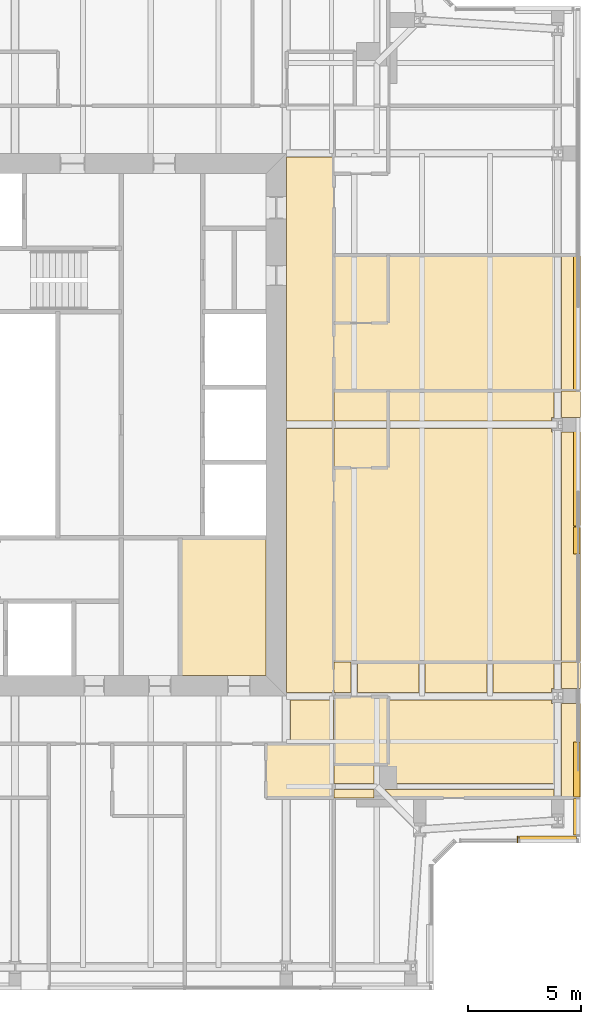
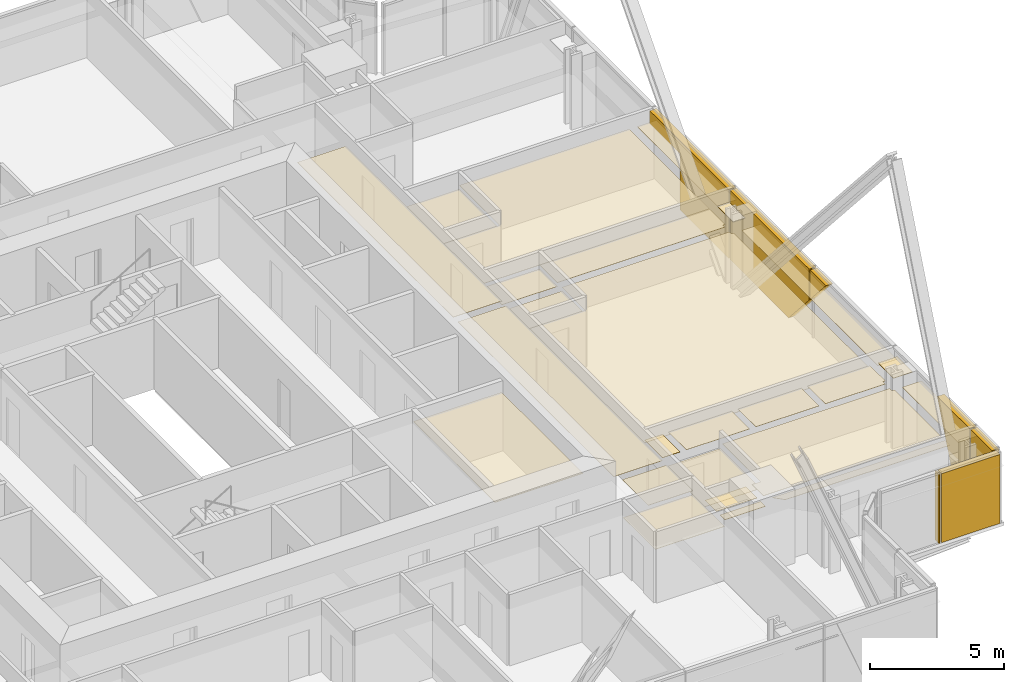
# One storey, part 18 of 20: 32 coverings.
"""IFC4 building model written with IfcOpenShell, lengths in metres."""

from ifc_helpers import new_model, si_unit, direction, frame, origin, place, context, subcontext, project, spatial, polyline, outline, extrude, material, layer, layer_set, type_object, element, save


model = new_model("IFC4")

# Units and contexts
model_context = context("Model", 3, precision=1e-05, world=origin(), true_north=direction((0.0, 1.0)))
body_context = subcontext(model_context, "Body", "Model", "MODEL_VIEW")
ifc_project = project(units=[si_unit("LENGTHUNIT", "METRE"), si_unit("AREAUNIT", "SQUARE_METRE"), si_unit("VOLUMEUNIT", "CUBIC_METRE"), si_unit("PLANEANGLEUNIT", "RADIAN"), si_unit("MASSUNIT", "GRAM", prefix="KILO")], contexts=[model_context])

# Site, building, storey
site_placement = place(None, origin())
site = spatial("IfcSite", under=ifc_project, at=site_placement, CompositionType="ELEMENT")
building_placement = place(site_placement, origin())
building = spatial("IfcBuilding", under=site, at=building_placement, Name="Fenwick Lantern Interchange", CompositionType="ELEMENT")
storey_placement = place(building_placement, frame((0.0, 0.0, 256.0)))
storey = spatial("IfcBuildingStorey", under=building, at=storey_placement, Name="L60", CompositionType="ELEMENT", Elevation=256.0)

# Coverings
ifc_material_1 = material(Name="Granite cladding, warm grey flamed finish, on aluminium carrier frame", Category="masonry")
ifc_layer_1 = layer(ifc_material_1, 0.300048828125)
ifc_layer_set_1 = layer_set([ifc_layer_1], Name="BRACE CASING PANEL 300")
covering_type_1 = type_object("IfcCoveringType", Name="BRACE CASING PANEL 300", PredefinedType="CLADDING", material=ifc_layer_set_1)
covering_1_placement = place(storey_placement, frame((44.45849609375, 6.60009765625, 0.0), z_axis=(0.0, 0.0, 1.0), x_axis=(1.0, 0.0, 0.0)))
element("IfcCovering", 1, at=covering_1_placement, inside=storey, type_object=covering_type_1, Name="Brace casing 04 bay 00a", PredefinedType="CLADDING", context=body_context, shape_type="SweptSolid", body=[
    extrude(outline(polyline([(2.741455078125, 0.0), (2.790771484375, 0.0), (2.790771484375, 3.14990234375), (2.741455078125, 3.14990234375), (2.741455078125, 0.0)])), frame((0.0, 0.2099609375, 0.0), z_axis=(0.0, -1.0, 0.0), x_axis=(1.0, 0.0, 0.0)), (0.0, 0.0, 1.0), 0.300048828125),
])
covering_2_placement = place(storey_placement, frame((44.45849609375, 6.60009765625, 0.0), z_axis=(0.0, 0.0, 1.0), x_axis=(1.0, 0.0, 0.0)))
element("IfcCovering", 2, at=covering_2_placement, inside=storey, type_object=covering_type_1, Name="Brace casing 04 bay 01a", PredefinedType="CLADDING", context=body_context, shape_type="SweptSolid", body=[
    extrude(outline(polyline([(2.850830078125, 0.0), (5.38134765625, 0.0), (5.38134765625, 3.14990234375), (2.850830078125, 3.14990234375), (2.850830078125, 0.0)])), frame((0.0, 0.2099609375, 0.0), z_axis=(0.0, -1.0, 0.0), x_axis=(1.0, 0.0, 0.0)), (0.0, 0.0, 1.0), 0.300048828125),
])
covering_3_placement = place(storey_placement, frame((49.89990234375, 6.60009765625, 0.0), z_axis=(0.0, 0.0, 1.0), x_axis=(0.0, 1.0, 0.0)))
element("IfcCovering", 3, at=covering_3_placement, inside=storey, type_object=covering_type_1, Name="Brace casing 05 bay 00a", PredefinedType="CLADDING", context=body_context, shape_type="SweptSolid", body=[
    extrude(outline(polyline([(0.260009765625, 0.0), (1.8701171875, 0.0), (1.8701171875, 3.14990234375), (0.260009765625, 3.14990234375), (0.260009765625, 0.0)])), frame((0.0, 0.2099609375, 0.0), z_axis=(0.0, -1.0, 0.0), x_axis=(1.0, 0.0, 0.0)), (0.0, 0.0, 1.0), 0.300048828125),
])
covering_4_placement = place(storey_placement, frame((49.89990234375, 6.60009765625, 0.0), z_axis=(0.0, 0.0, 1.0), x_axis=(0.0, 1.0, 0.0)))
element("IfcCovering", 4, at=covering_4_placement, inside=storey, type_object=covering_type_1, Name="Brace casing 05 bay 01a", PredefinedType="CLADDING", context=body_context, shape_type="SweptSolid", body=[
    extrude(outline(polyline([(1.929931640625, 0.0), (3.086669921875, 0.0), (4.360595703125, 3.14990234375), (1.929931640625, 3.14990234375), (1.929931640625, 0.0)])), frame((0.0, 0.2099609375, 0.0), z_axis=(0.0, -1.0, 0.0), x_axis=(1.0, 0.0, 0.0)), (0.0, 0.0, 1.0), 0.300048828125),
])
covering_5_placement = place(storey_placement, frame((49.89990234375, 6.60009765625, 1.807373046875), z_axis=(0.0, 0.0, 1.0), x_axis=(0.0, 1.0, 0.0)))
element("IfcCovering", 5, at=covering_5_placement, inside=storey, type_object=covering_type_1, Name="Brace casing 05 bay 02a", PredefinedType="CLADDING", context=body_context, shape_type="SweptSolid", body=[
    extrude(outline(polyline([(13.8701171875, 0.0), (13.8701171875, 1.342529296875), (12.685302734375, 1.342529296875), (13.8701171875, 0.0)])), frame((0.0, 0.2099609375, 0.0), z_axis=(0.0, -1.0, 0.0), x_axis=(1.0, 0.0, 0.0)), (0.0, 0.0, 1.0), 0.300048828125),
])
covering_6_placement = place(storey_placement, frame((49.89990234375, 6.60009765625, 0.0), z_axis=(0.0, 0.0, 1.0), x_axis=(0.0, 1.0, 0.0)))
element("IfcCovering", 6, at=covering_6_placement, inside=storey, type_object=covering_type_1, Name="Brace casing 05 bay 03a", PredefinedType="CLADDING", context=body_context, shape_type="SweptSolid", body=[
    extrude(outline(polyline([(15.46484375, 0.0), (19.8701171875, 0.0), (19.8701171875, 3.14990234375), (13.929931640625, 3.14990234375), (13.929931640625, 1.739501953125), (15.46484375, 0.0)])), frame((0.0, 0.2099609375, 0.0), z_axis=(0.0, -1.0, 0.0), x_axis=(1.0, 0.0, 0.0)), (0.0, 0.0, 1.0), 0.300048828125),
])
covering_7_placement = place(storey_placement, frame((49.89990234375, 6.60009765625, 0.0), z_axis=(0.0, 0.0, 1.0), x_axis=(0.0, 1.0, 0.0)))
element("IfcCovering", 7, at=covering_7_placement, inside=storey, type_object=covering_type_1, Name="Brace casing 05 bay 04a", PredefinedType="CLADDING", context=body_context, shape_type="SweptSolid", body=[
    extrude(outline(polyline([(19.929931640625, 0.0), (23.60009765625, 0.0), (23.60009765625, 2.56689453125), (25.8701171875, 2.56689453125), (25.8701171875, 3.14990234375), (19.929931640625, 3.14990234375), (19.929931640625, 0.0)])), frame((0.0, 0.2099609375, 0.0), z_axis=(0.0, -1.0, 0.0), x_axis=(1.0, 0.0, 0.0)), (0.0, 0.0, 1.0), 0.300048828125),
])
ifc_material_2 = material(Name="Moisture resistant gypsum board on suspended frame, painted")
ifc_layer_2 = layer(ifc_material_2, 0.014892578125)
ifc_layer_set_2 = layer_set([ifc_layer_2], Name="MOISTURE RESISTANT CEILING 15")
covering_type_2 = type_object("IfcCoveringType", Name="MOISTURE RESISTANT CEILING 15", PredefinedType="CEILING", material=ifc_layer_set_2)
covering_8_placement = place(storey_placement, frame((0.0, 0.0, 2.60009765625)))
element("IfcCovering", 8, at=covering_8_placement, inside=storey, type_object=covering_type_2, Name="Women's WC ceiling", PredefinedType="CEILING", context=body_context, shape_type="SweptSolid", body=[
    extrude(outline(polyline([(32.300048828125, 13.89990234375), (36.10009765625, 13.89990234375), (36.10009765625, 20.0), (32.300048828125, 20.0), (32.300048828125, 13.89990234375)])), origin(), (0.0, 0.0, 1.0), 0.014892578125),
])
covering_9_placement = place(storey_placement, frame((0.0, 0.0, 2.39990234375)))
element("IfcCovering", 9, at=covering_9_placement, inside=storey, type_object=covering_type_2, Name="En-suite 6004 ceiling", PredefinedType="CEILING", context=body_context, shape_type="SweptSolid", body=[
    extrude(outline(polyline([(36.10009765625, 8.5), (39.10009765625, 8.5), (39.10009765625, 10.89990234375), (36.10009765625, 10.89990234375), (36.10009765625, 8.5)])), origin(), (0.0, 0.0, 1.0), 0.01513671875),
])
covering_10_placement = place(storey_placement, frame((0.0, 0.0, 2.39990234375)))
element("IfcCovering", 10, at=covering_10_placement, inside=storey, type_object=covering_type_2, Name="En-suite 6005 ceiling", PredefinedType="CEILING", context=body_context, shape_type="SweptSolid", body=[
    extrude(outline(polyline([(41.5, 9.97509765625), (41.5, 12.97509765625), (39.10009765625, 12.97509765625), (39.10009765625, 9.97509765625), (41.5, 9.97509765625)])), origin(), (0.0, 0.0, 1.0), 0.01513671875),
])
covering_11_placement = place(storey_placement, frame((0.0, 0.0, 2.39990234375)))
element("IfcCovering", 11, at=covering_11_placement, inside=storey, type_object=covering_type_2, Name="En-suite 6006 ceiling", PredefinedType="CEILING", context=body_context, shape_type="SweptSolid", body=[
    extrude(outline(polyline([(41.5, 23.10009765625), (41.5, 24.824951171875), (39.10009765625, 24.824951171875), (39.10009765625, 23.10009765625), (41.5, 23.10009765625)])), origin(), (0.0, 0.0, 1.0), 0.01513671875),
])
covering_12_placement = place(storey_placement, frame((0.0, 0.0, 2.39990234375)))
element("IfcCovering", 12, at=covering_12_placement, inside=storey, type_object=covering_type_2, Name="En-suite 6006 ceiling", PredefinedType="CEILING", context=body_context, shape_type="SweptSolid", body=[
    extrude(outline(polyline([(39.10009765625, 26.5), (39.10009765625, 25.175048828125), (41.5, 25.175048828125), (41.5, 26.5), (39.10009765625, 26.5)])), origin(), (0.0, 0.0, 1.0), 0.01513671875),
])
covering_13_placement = place(storey_placement, frame((0.0, 0.0, 2.39990234375)))
element("IfcCovering", 13, at=covering_13_placement, inside=storey, type_object=covering_type_2, Name="En-suite 6007 ceiling", PredefinedType="CEILING", context=body_context, shape_type="SweptSolid", body=[
    extrude(outline(polyline([(41.5, 29.5), (41.5, 32.5), (39.10009765625, 32.5), (39.10009765625, 29.5), (41.5, 29.5)])), origin(), (0.0, 0.0, 1.0), 0.01513671875),
])
ifc_material_3 = material(Name="Gypsum plasterboard on suspended frame, painted")
ifc_layer_3 = layer(ifc_material_3, 0.014892578125)
ifc_layer_set_3 = layer_set([ifc_layer_3], Name="PLASTERBOARD CEILING 15")
covering_type_3 = type_object("IfcCoveringType", Name="PLASTERBOARD CEILING 15", PredefinedType="CEILING", material=ifc_layer_set_3)
covering_14_placement = place(storey_placement, frame((0.0, 0.0, 2.57275390625)))
element("IfcCovering", 14, at=covering_14_placement, inside=storey, type_object=covering_type_3, Name="Corridor ceiling", PredefinedType="CEILING", context=body_context, shape_type="SweptSolid", body=[
    extrude(outline(polyline([(39.10009765625, 25.175048828125), (39.10009765625, 36.833984375), (37.0, 36.833984375), (37.0, 25.175048828125), (39.10009765625, 25.175048828125)])), origin(), (0.0, 0.0, 1.0), 0.01513671875),
])
covering_15_placement = place(storey_placement, frame((0.0, 0.0, 2.57275390625)))
element("IfcCovering", 15, at=covering_15_placement, inside=storey, type_object=covering_type_3, Name="Corridor ceiling", PredefinedType="CEILING", context=body_context, shape_type="SweptSolid", body=[
    extrude(outline(polyline([(39.10009765625, 13.166015625), (39.10009765625, 24.824951171875), (37.0, 24.824951171875), (37.0, 13.166015625), (39.10009765625, 13.166015625)])), origin(), (0.0, 0.0, 1.0), 0.01513671875),
])
covering_16_placement = place(storey_placement, frame((0.0, 0.0, 2.57275390625)))
element("IfcCovering", 16, at=covering_16_placement, inside=storey, type_object=covering_type_3, Name="Corridor ceiling", PredefinedType="CEILING", context=body_context, shape_type="SweptSolid", body=[
    extrude(outline(polyline([(39.10009765625, 10.89990234375), (39.10009765625, 12.833984375), (37.183837890625, 12.833984375), (37.183837890625, 10.89990234375), (39.10009765625, 10.89990234375)])), origin(), (0.0, 0.0, 1.0), 0.01513671875),
])
covering_17_placement = place(storey_placement, frame((0.0, 0.0, 2.699951171875)))
element("IfcCovering", 17, at=covering_17_placement, inside=storey, type_object=covering_type_3, Name="Guest suite 6005 bedroom ceiling", PredefinedType="CEILING", context=body_context, shape_type="SweptSolid", body=[
    extrude(outline(polyline([(48.72265625, 12.66552734375), (48.72265625, 12.833984375), (41.5, 12.833984375), (41.5, 9.97509765625), (41.134521484375, 9.97509765625), (41.134521484375, 9.134521484375), (48.82763671875, 9.134521484375), (48.82763671875, 12.66552734375), (48.72265625, 12.66552734375)])), origin(), (0.0, 0.0, 1.0), 0.01513671875),
])
covering_18_placement = place(storey_placement, frame((0.0, 0.0, 2.699951171875)))
element("IfcCovering", 18, at=covering_18_placement, inside=storey, type_object=covering_type_3, Name="Guest suite 6005 bedroom ceiling", PredefinedType="CEILING", context=body_context, shape_type="SweptSolid", body=[
    extrude(outline(polyline([(42.865478515625, 14.5), (40.134521484375, 14.5), (40.134521484375, 13.166015625), (42.865478515625, 13.166015625), (42.865478515625, 14.5)])), origin(), (0.0, 0.0, 1.0), 0.01513671875),
])
covering_19_placement = place(storey_placement, frame((0.0, 0.0, 2.699951171875)))
element("IfcCovering", 19, at=covering_19_placement, inside=storey, type_object=covering_type_3, Name="Guest suite 6005 bedroom ceiling", PredefinedType="CEILING", context=body_context, shape_type="SweptSolid", body=[
    extrude(outline(polyline([(45.865478515625, 14.5), (43.134521484375, 14.5), (43.134521484375, 13.166015625), (45.865478515625, 13.166015625), (45.865478515625, 14.5)])), origin(), (0.0, 0.0, 1.0), 0.01513671875),
])
covering_20_placement = place(storey_placement, frame((0.0, 0.0, 2.699951171875)))
element("IfcCovering", 20, at=covering_20_placement, inside=storey, type_object=covering_type_3, Name="Guest suite 6005 bedroom ceiling", PredefinedType="CEILING", context=body_context, shape_type="SweptSolid", body=[
    extrude(outline(polyline([(48.72265625, 13.33447265625), (48.82763671875, 13.33447265625), (48.82763671875, 14.5), (46.134521484375, 14.5), (46.134521484375, 13.166015625), (48.72265625, 13.166015625), (48.72265625, 13.33447265625)])), origin(), (0.0, 0.0, 1.0), 0.01513671875),
])
covering_21_placement = place(storey_placement, frame((0.0, 0.0, 2.699951171875)))
element("IfcCovering", 21, at=covering_21_placement, inside=storey, type_object=covering_type_3, Name="Guest suite 6005 bedroom ceiling", PredefinedType="CEILING", context=body_context, shape_type="SweptSolid", body=[
    extrude(outline(polyline([(50.0, 12.66552734375), (49.17236328125, 12.66552734375), (49.17236328125, 8.5), (50.0, 8.5), (50.0, 12.66552734375)])), origin(), (0.0, 0.0, 1.0), 0.01513671875),
])
covering_22_placement = place(storey_placement, frame((0.0, 0.0, 2.699951171875)))
element("IfcCovering", 22, at=covering_22_placement, inside=storey, type_object=covering_type_3, Name="Guest suite 6005 bedroom ceiling", PredefinedType="CEILING", context=body_context, shape_type="SweptSolid", body=[
    extrude(outline(polyline([(41.716796875, 8.5), (48.82763671875, 8.5), (48.82763671875, 8.865478515625), (41.351318359375, 8.865478515625), (41.716796875, 8.5)])), origin(), (0.0, 0.0, 1.0), 0.01513671875),
])
covering_23_placement = place(storey_placement, frame((0.0, 0.0, 2.699951171875)))
element("IfcCovering", 23, at=covering_23_placement, inside=storey, type_object=covering_type_3, Name="Guest suite 6005 bedroom ceiling", PredefinedType="CEILING", context=body_context, shape_type="SweptSolid", body=[
    extrude(outline(polyline([(39.10009765625, 9.97509765625), (39.10009765625, 9.134521484375), (40.865478515625, 9.134521484375), (40.865478515625, 9.97509765625), (39.10009765625, 9.97509765625)])), origin(), (0.0, 0.0, 1.0), 0.01513671875),
])
covering_24_placement = place(storey_placement, frame((0.0, 0.0, 2.699951171875)))
element("IfcCovering", 24, at=covering_24_placement, inside=storey, type_object=covering_type_3, Name="Guest suite 6005 bedroom ceiling", PredefinedType="CEILING", context=body_context, shape_type="SweptSolid", body=[
    extrude(outline(polyline([(39.10009765625, 14.5), (39.10009765625, 13.166015625), (39.865478515625, 13.166015625), (39.865478515625, 14.5), (39.10009765625, 14.5)])), origin(), (0.0, 0.0, 1.0), 0.01513671875),
])
covering_25_placement = place(storey_placement, frame((0.0, 0.0, 2.699951171875)))
element("IfcCovering", 25, at=covering_25_placement, inside=storey, type_object=covering_type_3, Name="Guest suite 6005 bedroom ceiling", PredefinedType="CEILING", context=body_context, shape_type="SweptSolid", body=[
    extrude(outline(polyline([(50.0, 13.33447265625), (50.0, 14.5), (49.17236328125, 14.5), (49.17236328125, 13.33447265625), (50.0, 13.33447265625)])), origin(), (0.0, 0.0, 1.0), 0.01513671875),
])
covering_26_placement = place(storey_placement, frame((0.0, 0.0, 2.699951171875)))
element("IfcCovering", 26, at=covering_26_placement, inside=storey, type_object=covering_type_3, Name="Guest suite 6005 bedroom ceiling", PredefinedType="CEILING", context=body_context, shape_type="SweptSolid", body=[
    extrude(outline(polyline([(39.10009765625, 8.5), (40.865478515625, 8.5), (40.865478515625, 8.865478515625), (39.10009765625, 8.865478515625), (39.10009765625, 8.5)])), origin(), (0.0, 0.0, 1.0), 0.01513671875),
])
covering_27_placement = place(storey_placement, frame((0.0, 0.0, 2.57275390625)))
element("IfcCovering", 27, at=covering_27_placement, inside=storey, type_object=covering_type_3, Name="Guest suite 6006 ceiling", PredefinedType="CEILING", context=body_context, shape_type="SweptSolid", body=[
    extrude(outline(polyline([(48.72900390625, 24.6845703125), (48.72900390625, 24.824951171875), (41.5, 24.824951171875), (41.5, 23.10009765625), (39.10009765625, 23.10009765625), (39.10009765625, 14.5), (48.82763671875, 14.5), (48.82763671875, 24.6845703125), (48.72900390625, 24.6845703125)])), origin(), (0.0, 0.0, 1.0), 0.01513671875),
])
covering_28_placement = place(storey_placement, frame((0.0, 0.0, 2.57275390625)))
element("IfcCovering", 28, at=covering_28_placement, inside=storey, type_object=covering_type_3, Name="Guest suite 6006 ceiling", PredefinedType="CEILING", context=body_context, shape_type="SweptSolid", body=[
    extrude(outline(polyline([(48.72900390625, 25.3154296875), (48.82763671875, 25.3154296875), (48.82763671875, 26.5), (41.5, 26.5), (41.5, 25.175048828125), (48.72900390625, 25.175048828125), (48.72900390625, 25.3154296875)])), origin(), (0.0, 0.0, 1.0), 0.01513671875),
])
covering_29_placement = place(storey_placement, frame((0.0, 0.0, 2.57275390625)))
element("IfcCovering", 29, at=covering_29_placement, inside=storey, type_object=covering_type_3, Name="Guest suite 6006 ceiling", PredefinedType="CEILING", context=body_context, shape_type="SweptSolid", body=[
    extrude(outline(polyline([(50.0, 24.6845703125), (49.17236328125, 24.6845703125), (49.17236328125, 14.5), (50.0, 14.5), (50.0, 24.6845703125)])), origin(), (0.0, 0.0, 1.0), 0.01513671875),
])
covering_30_placement = place(storey_placement, frame((0.0, 0.0, 2.57275390625)))
element("IfcCovering", 30, at=covering_30_placement, inside=storey, type_object=covering_type_3, Name="Guest suite 6006 ceiling", PredefinedType="CEILING", context=body_context, shape_type="SweptSolid", body=[
    extrude(outline(polyline([(49.17236328125, 25.3154296875), (50.0, 25.3154296875), (50.0, 26.5), (49.17236328125, 26.5), (49.17236328125, 25.3154296875)])), origin(), (0.0, 0.0, 1.0), 0.01513671875),
])
covering_31_placement = place(storey_placement, frame((0.0, 0.0, 2.57275390625)))
element("IfcCovering", 31, at=covering_31_placement, inside=storey, type_object=covering_type_3, Name="Guest room 6007 ceiling", PredefinedType="CEILING", context=body_context, shape_type="SweptSolid", body=[
    extrude(outline(polyline([(39.10009765625, 26.5), (48.82763671875, 26.5), (48.82763671875, 32.5), (41.5, 32.5), (41.5, 29.5), (39.10009765625, 29.5), (39.10009765625, 26.5)])), origin(), (0.0, 0.0, 1.0), 0.01513671875),
])
covering_32_placement = place(storey_placement, frame((0.0, 0.0, 2.57275390625)))
element("IfcCovering", 32, at=covering_32_placement, inside=storey, type_object=covering_type_3, Name="Guest room 6007 ceiling", PredefinedType="CEILING", context=body_context, shape_type="SweptSolid", body=[
    extrude(outline(polyline([(50.0, 26.5), (50.0, 32.5), (49.17236328125, 32.5), (49.17236328125, 26.5), (50.0, 26.5)])), origin(), (0.0, 0.0, 1.0), 0.01513671875),
])

save(model, "model.ifc")
